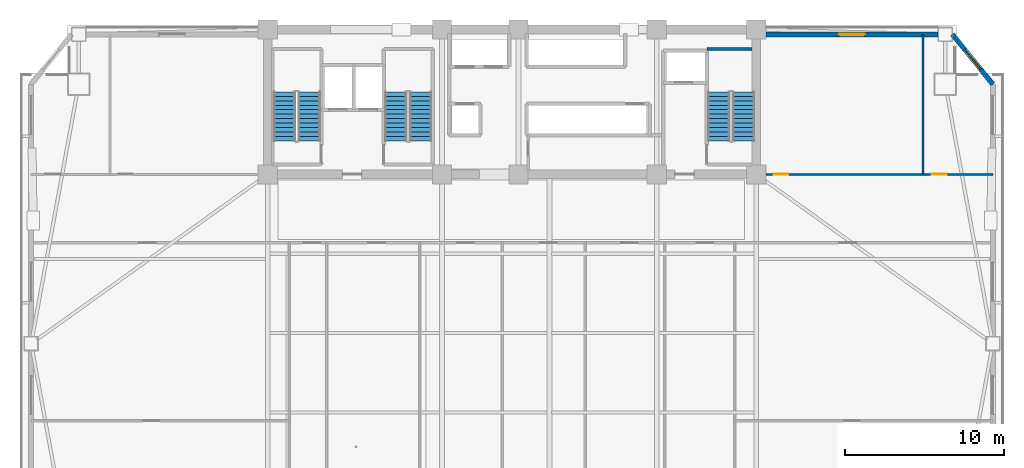
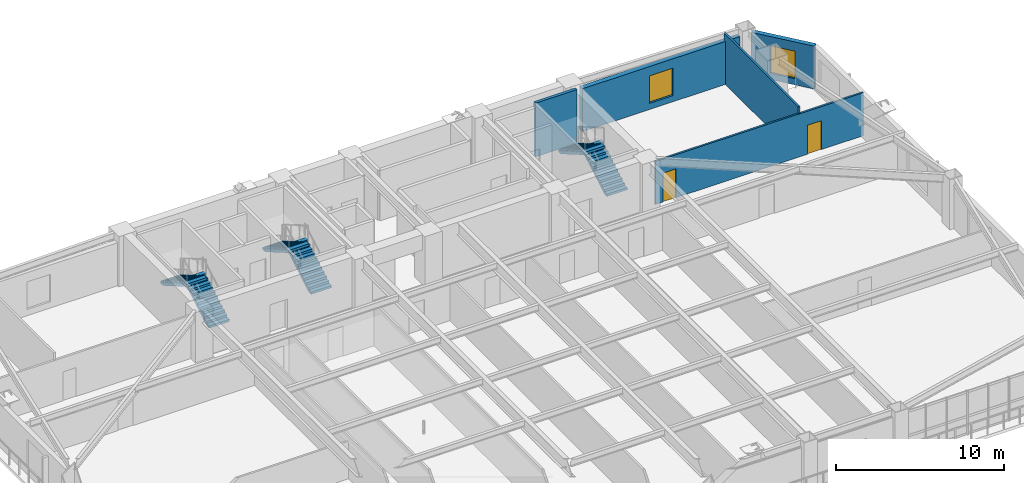
# One storey, part 10 of 15: 6 stair flights, 5 walls, 2 doors, 2 windows, 4 openings, 3 elements without a shape of their own.
"""IFC4 building model written with IfcOpenShell, lengths in metres."""

from ifc_helpers import new_model, si_unit, direction, frame, frame_2d, origin, place, context, subcontext, project, spatial, polyline, rectangle, outline, extrude, source, transform, mapped, material, layer, layer_set, type_object, element, fill, aggregate, save


model = new_model("IFC4")

# Units and contexts
model_context = context("Model", 3, precision=1e-05, world=origin(), true_north=direction((0.0, 1.0)))
body_context = subcontext(model_context, "Body", "Model", "MODEL_VIEW")
ifc_project = project(units=[si_unit("LENGTHUNIT", "METRE"), si_unit("AREAUNIT", "SQUARE_METRE"), si_unit("VOLUMEUNIT", "CUBIC_METRE"), si_unit("PLANEANGLEUNIT", "RADIAN"), si_unit("MASSUNIT", "GRAM", prefix="KILO")], contexts=[model_context])

# Site, building, storey
site_placement = place(None, origin())
site = spatial("IfcSite", under=ifc_project, at=site_placement, CompositionType="ELEMENT")
building_placement = place(site_placement, origin())
building = spatial("IfcBuilding", under=site, at=building_placement, Name="Giltprow Tower", CompositionType="ELEMENT")
storey_placement = place(building_placement, frame((0.0, 0.0, 127.0)))
storey = spatial("IfcBuildingStorey", under=building, at=storey_placement, Name="L31", CompositionType="ELEMENT", Elevation=127.0)

# Wall, opening, window
ifc_material_1 = material(Name="Precast concrete C40", Category="concrete")
ifc_layer_1 = layer(ifc_material_1, 0.300048828125, Name="Precast concrete C40")
ifc_layer_set_1 = layer_set([ifc_layer_1], Name="Precast concrete C40")
wall_type_1 = type_object("IfcWallType", Name="EW-NOTCH-CHAMFER-300", PredefinedType="SOLIDWALL", material=ifc_layer_set_1)
wall_1_placement = place(storey_placement, frame((65.4208984375, 43.10888671875, 0.0), z_axis=(0.0, 0.0, 1.0), x_axis=(-0.62893048879, 0.7774615362, 0.0)))
wall_1 = element("IfcWall", 1, at=wall_1_placement, inside=storey, type_object=wall_type_1, Name="L31 Corner Notch Wall NE", PredefinedType="SOLIDWALL", context=body_context, shape_type="SweptSolid", body=[
    extrude(rectangle(XDim=4.040283203125, YDim=0.300048828125, at=frame_2d((2.02001953125, 0.0))), origin(), (0.0, 0.0, 1.0), 3.1201171875),
])
opening_1_placement = place(wall_1_placement, frame((1.219970703125, 0.0, 0.449951171875)))
opening_1 = element("IfcOpeningElement", 2, at=opening_1_placement, cuts=wall_1, Name="Opening WN17", PredefinedType="OPENING", context=body_context, shape_type="SweptSolid", body=[
    extrude(rectangle(XDim=1.60009765625, YDim=2.0, at=frame_2d((0.800048828125, 1.0))), frame((0.0, 0.159912109375, 0.0), z_axis=(0.0, -1.0, 0.0), x_axis=(1.0, 0.0, 0.0)), (0.0, 0.0, 1.0), 0.320068359375),
])
ifc_material_2 = material(Name="Insulated glass", Category="glass")
window_type = type_object("IfcWindowType", Name="WN-COR-1600x2000", PartitioningType="SINGLE_PANEL", PredefinedType="WINDOW", material=ifc_material_2)
shared_shape_1 = source(origin(), body_context, "Body", "SweptSolid", [
    extrude(rectangle(XDim=1.60009765625, YDim=2.0, at=frame_2d((0.800048828125, 1.0))), frame((0.0, 0.030029296875, 0.0), z_axis=(0.0, -1.0, 0.0), x_axis=(1.0, 0.0, 0.0)), (0.0, 0.0, 1.0), 0.06005859375),
])
window_1_placement = place(opening_1_placement, origin())
window_1 = element("IfcWindow", 3, at=window_1_placement, inside=storey, type_object=window_type, Name="L31 Corner Notch Window NE", OverallHeight=2.0, OverallWidth=1.60009765625, PartitioningType="SINGLE_PANEL", PredefinedType="WINDOW", context=body_context, shape_type="MappedRepresentation", body=[
    mapped(shared_shape_1, transform((0.0, 0.0, 0.0), x_axis=(1.0, 0.0, 0.0), y_axis=(0.0, 1.0, 0.0), z_axis=(0.0, 0.0, 1.0), scale=1.0)),
])
fill(opening_1, window_1)

ifc_layer_2 = layer(ifc_material_1, 0.320068359375, Name="Precast concrete C40")
ifc_layer_set_2 = layer_set([ifc_layer_2], Name="Precast concrete C40")
wall_type_2 = type_object("IfcWallType", Name="EW-TOW-STONE-320", PredefinedType="SOLIDWALL", material=ifc_layer_set_2)
wall_2_placement = place(storey_placement, frame((51.14990234375, 46.25, 0.0), z_axis=(0.0, 0.0, 1.0), x_axis=(1.0, 0.0, 0.0)))
wall_2 = element("IfcWall", 4, at=wall_2_placement, inside=storey, type_object=wall_type_2, Name="L31 North-East Wing Wall", PredefinedType="SOLIDWALL", context=body_context, shape_type="SweptSolid", body=[
    extrude(rectangle(XDim=10.830078125, YDim=0.320068359375, at=frame_2d((5.4150390625, 0.0))), origin(), (0.0, 0.0, 1.0), 3.1201171875),
])
opening_2_placement = place(wall_2_placement, frame((4.614990234375, 0.0, 0.449951171875)))
opening_2 = element("IfcOpeningElement", 5, at=opening_2_placement, cuts=wall_2, Name="Opening WN17", PredefinedType="OPENING", context=body_context, shape_type="SweptSolid", body=[
    extrude(rectangle(XDim=1.60009765625, YDim=2.0, at=frame_2d((0.800048828125, 1.0))), frame((0.0, 0.169921875, 0.0), z_axis=(0.0, -1.0, 0.0), x_axis=(1.0, 0.0, 0.0)), (0.0, 0.0, 1.0), 0.340087890625),
])
window_2_placement = place(opening_2_placement, origin())
window_2 = element("IfcWindow", 6, at=window_2_placement, inside=storey, type_object=window_type, Name="L31 North-East Window", OverallHeight=2.0, OverallWidth=1.60009765625, PartitioningType="SINGLE_PANEL", PredefinedType="WINDOW", context=body_context, shape_type="MappedRepresentation", body=[
    mapped(shared_shape_1, transform((0.0, 0.0, 0.0), x_axis=(1.0, 0.0, 0.0), y_axis=(0.0, 1.0, 0.0), z_axis=(0.0, 0.0, 1.0), scale=1.0)),
])
fill(opening_2, window_2)

# Wall
ifc_material_3 = material(Name="Concrete C40", Category="concrete")
ifc_layer_3 = layer(ifc_material_3, 0.199951171875, Name="Concrete C40")
ifc_layer_set_3 = layer_set([ifc_layer_3], Name="Concrete C40")
wall_type_3 = type_object("IfcWallType", Name="IW-STAIR-200", PredefinedType="SOLIDWALL", material=ifc_layer_set_3)
wall_3_placement = place(storey_placement, frame((47.43994140625, 45.320068359375, 0.0), z_axis=(0.0, 0.0, 1.0), x_axis=(1.0, 0.0, 0.0)))
element("IfcWall", 7, at=wall_3_placement, inside=storey, type_object=wall_type_3, Name="L31 Stair ST-3 North Bearing Wall", PredefinedType="SOLIDWALL", context=body_context, shape_type="SweptSolid", body=[
    extrude(rectangle(XDim=2.85498046875, YDim=0.199951171875, at=frame_2d((1.427490234375, 0.0))), origin(), (0.0, 0.0, 1.0), 3.89990234375),
])

# Wall, openings, doors
ifc_material_4 = material(Name="Concrete C30", Category="concrete")
ifc_layer_4 = layer(ifc_material_4, 0.1298828125, Name="Concrete C30")
ifc_layer_set_4 = layer_set([ifc_layer_4], Name="Concrete C30")
wall_type_4 = type_object("IfcWallType", Name="IW-WET-130", PredefinedType="PARTITIONING", material=ifc_layer_set_4)
wall_4_placement = place(storey_placement, frame((51.14990234375, 37.449951171875, 0.0), z_axis=(0.0, 0.0, 1.0), x_axis=(1.0, 0.0, 0.0)))
wall_4 = element("IfcWall", 8, at=wall_4_placement, inside=storey, type_object=wall_type_4, Name="L31 NE Wing South Wall", PredefinedType="PARTITIONING", context=body_context, shape_type="SweptSolid", body=[
    extrude(rectangle(XDim=14.27099609375, YDim=0.1298828125, at=frame_2d((7.135498046875, 0.0))), origin(), (0.0, 0.0, 1.0), 3.125),
])
opening_3_placement = place(wall_4_placement, frame((0.5, 0.0, 0.0)))
opening_3 = element("IfcOpeningElement", 9, at=opening_3_placement, cuts=wall_4, Name="Opening ID15", PredefinedType="OPENING", context=body_context, shape_type="SweptSolid", body=[
    extrude(rectangle(XDim=0.89990234375, YDim=2.10009765625, at=frame_2d((0.449951171875, 1.050048828125))), frame((0.0, 0.074951171875, 0.0), z_axis=(0.0, -1.0, 0.0), x_axis=(1.0, 0.0, 0.0)), (0.0, 0.0, 1.0), 0.14990234375),
])
opening_4_placement = place(wall_4_placement, frame((10.429931640625, 0.0, 0.0)))
opening_4 = element("IfcOpeningElement", 10, at=opening_4_placement, cuts=wall_4, Name="Opening ID11", PredefinedType="OPENING", context=body_context, shape_type="SweptSolid", body=[
    extrude(rectangle(XDim=0.949951171875, YDim=2.10009765625, at=frame_2d((0.47509765625, 1.050048828125))), frame((0.0, 0.074951171875, 0.0), z_axis=(0.0, -1.0, 0.0), x_axis=(1.0, 0.0, 0.0)), (0.0, 0.0, 1.0), 0.14990234375),
])
ifc_material_5 = material(Name="Engineered timber", Category="wood")
door_type_1 = type_object("IfcDoorType", Name="DR-WC-900", OperationType="SINGLE_SWING_LEFT", PredefinedType="DOOR", material=ifc_material_5)
shared_shape_2 = source(origin(), body_context, "Body", "SweptSolid", [
    extrude(rectangle(XDim=0.89990234375, YDim=2.10009765625, at=frame_2d((0.449951171875, 1.050048828125))), frame((0.0, 0.02490234375, 0.0), z_axis=(0.0, -1.0, 0.0), x_axis=(1.0, 0.0, 0.0)), (0.0, 0.0, 1.0), 0.050048828125),
])
door_1_placement = place(opening_3_placement, origin())
door_1 = element("IfcDoor", 11, at=door_1_placement, inside=storey, type_object=door_type_1, Name="L31 East Wing Washroom Door", OperationType="SINGLE_SWING_RIGHT", OverallHeight=2.10009765625, OverallWidth=0.89990234375, PredefinedType="DOOR", context=body_context, shape_type="MappedRepresentation", body=[
    mapped(shared_shape_2, transform((0.0, 0.0, 0.0), x_axis=(1.0, 0.0, 0.0), y_axis=(0.0, 1.0, 0.0), z_axis=(0.0, 0.0, 1.0), scale=1.0)),
])
fill(opening_3, door_1)
door_type_2 = type_object("IfcDoorType", Name="DR-ROOM-950", OperationType="SINGLE_SWING_RIGHT", PredefinedType="DOOR", material=ifc_material_5)
shared_shape_3 = source(origin(), body_context, "Body", "SweptSolid", [
    extrude(rectangle(XDim=0.949951171875, YDim=2.10009765625, at=frame_2d((0.47509765625, 1.050048828125))), frame((0.0, 0.02490234375, 0.0), z_axis=(0.0, -1.0, 0.0), x_axis=(1.0, 0.0, 0.0)), (0.0, 0.0, 1.0), 0.050048828125),
])
door_2_placement = place(opening_4_placement, origin())
door_2 = element("IfcDoor", 12, at=door_2_placement, inside=storey, type_object=door_type_2, Name="L31 East Tenant Archive Store Door", OperationType="SINGLE_SWING_LEFT", OverallHeight=2.10009765625, OverallWidth=0.949951171875, PredefinedType="DOOR", context=body_context, shape_type="MappedRepresentation", body=[
    mapped(shared_shape_3, transform((0.0, 0.0, 0.0), x_axis=(1.0, 0.0, 0.0), y_axis=(0.0, 1.0, 0.0), z_axis=(0.0, 0.0, 1.0), scale=1.0)),
])
fill(opening_4, door_2)

# Wall
wall_5_placement = place(storey_placement, frame((61.030029296875, 37.449951171875, 0.0), z_axis=(0.0, 0.0, 1.0), x_axis=(0.0, 1.0, 0.0)))
element("IfcWall", 13, at=wall_5_placement, inside=storey, type_object=wall_type_4, Name="L31 NE Wing Divider", PredefinedType="PARTITIONING", context=body_context, shape_type="SweptSolid", body=[
    extrude(rectangle(XDim=8.800048828125, YDim=0.1298828125, at=frame_2d((4.39990234375, 0.0))), origin(), (0.0, 0.0, 1.0), 3.639892578125),
])

# Stair, stair flights
stair_type_1 = type_object("IfcStairType", Name="STR-ST-1", PredefinedType="HALF_TURN_STAIR", material=ifc_material_3)
stair_1_placement = place(storey_placement, origin())
stair_1 = element("IfcStair", 14, at=stair_1_placement, inside=storey, type_object=stair_type_1, Name="L31 Core Exit Stair ST-1", PredefinedType="HALF_TURN_STAIR")
stair_flight_type_1 = type_object("IfcStairFlightType", Name="SFL-ST-1", PredefinedType="STRAIGHT", material=ifc_material_3)
stair_flight_1_placement = place(storey_placement, frame((22.4599609375, 39.550048828125, 0.0), z_axis=(0.0, 0.0, 1.0), x_axis=(0.0, 1.0, 0.0)))
stair_flight_1 = element("IfcStairFlight", 15, at=stair_flight_1_placement, type_object=stair_flight_type_1, Name="ST-1 flight 1", NumberOfRisers=12, NumberOfTreads=11, PredefinedType="STRAIGHT", RiserHeight=0.1625, TreadLength=0.28, context=body_context, shape_type="SweptSolid", body=[
    extrude(outline(polyline([(0.0, 0.0), (0.0, 0.16259765625), (0.280029296875, 0.16259765625), (0.280029296875, 0.324951171875), (0.56005859375, 0.324951171875), (0.56005859375, 0.487548828125), (0.840087890625, 0.487548828125), (0.840087890625, 0.64990234375), (1.1201171875, 0.64990234375), (1.1201171875, 0.8125), (1.39990234375, 0.8125), (1.39990234375, 0.97509765625), (1.679931640625, 0.97509765625), (1.679931640625, 1.137451171875), (1.9599609375, 1.137451171875), (1.9599609375, 1.300048828125), (2.239990234375, 1.300048828125), (2.239990234375, 1.46240234375), (2.52001953125, 1.46240234375), (2.52001953125, 1.625), (2.800048828125, 1.625), (2.800048828125, 1.78759765625), (3.080078125, 1.78759765625), (3.080078125, 1.949951171875), (3.080078125, 1.6142578125), (0.298583984375, 0.0), (0.0, 0.0)])), frame((0.0, 0.699951171875, 0.0), z_axis=(0.0, -1.0, 0.0), x_axis=(1.0, 0.0, 0.0)), (0.0, 0.0, 1.0), 1.39990234375),
])
stair_flight_2_placement = place(storey_placement, frame((20.89990234375, 42.6298828125, 1.949951171875), z_axis=(0.0, 0.0, 1.0), x_axis=(0.0, -1.0, 0.0)))
stair_flight_2 = element("IfcStairFlight", 16, at=stair_flight_2_placement, type_object=stair_flight_type_1, Name="ST-1 flight 2", NumberOfRisers=12, NumberOfTreads=11, PredefinedType="STRAIGHT", RiserHeight=0.1625, TreadLength=0.28, context=body_context, shape_type="SweptSolid", body=[
    extrude(outline(polyline([(0.0, 0.0), (0.0, 0.16259765625), (0.280029296875, 0.16259765625), (0.280029296875, 0.324951171875), (0.56005859375, 0.324951171875), (0.56005859375, 0.487548828125), (0.840087890625, 0.487548828125), (0.840087890625, 0.64990234375), (1.1201171875, 0.64990234375), (1.1201171875, 0.8125), (1.39990234375, 0.8125), (1.39990234375, 0.97509765625), (1.679931640625, 0.97509765625), (1.679931640625, 1.137451171875), (1.9599609375, 1.137451171875), (1.9599609375, 1.300048828125), (2.239990234375, 1.300048828125), (2.239990234375, 1.46240234375), (2.52001953125, 1.46240234375), (2.52001953125, 1.625), (2.800048828125, 1.625), (2.800048828125, 1.78759765625), (3.080078125, 1.78759765625), (3.080078125, 1.949951171875), (3.080078125, 1.6142578125), (0.298583984375, 0.0), (0.0, 0.0)])), frame((0.0, 0.699951171875, 0.0), z_axis=(0.0, -1.0, 0.0), x_axis=(1.0, 0.0, 0.0)), (0.0, 0.0, 1.0), 1.39990234375),
])
aggregate(stair_1, [stair_flight_1, stair_flight_2])

stair_type_2 = type_object("IfcStairType", Name="STR-ST-2", PredefinedType="HALF_TURN_STAIR", material=ifc_material_3)
stair_2_placement = place(storey_placement, origin())
stair_2 = element("IfcStair", 17, at=stair_2_placement, inside=storey, type_object=stair_type_2, Name="L31 Core Exit Stair ST-2", PredefinedType="HALF_TURN_STAIR")
stair_flight_type_2 = type_object("IfcStairFlightType", Name="SFL-ST-2", PredefinedType="STRAIGHT", material=ifc_material_3)
stair_flight_3_placement = place(storey_placement, frame((29.4599609375, 39.550048828125, 0.0), z_axis=(0.0, 0.0, 1.0), x_axis=(0.0, 1.0, 0.0)))
stair_flight_3 = element("IfcStairFlight", 18, at=stair_flight_3_placement, type_object=stair_flight_type_2, Name="ST-2 flight 1", NumberOfRisers=12, NumberOfTreads=11, PredefinedType="STRAIGHT", RiserHeight=0.1625, TreadLength=0.28, context=body_context, shape_type="SweptSolid", body=[
    extrude(outline(polyline([(0.0, 0.0), (0.0, 0.16259765625), (0.280029296875, 0.16259765625), (0.280029296875, 0.324951171875), (0.56005859375, 0.324951171875), (0.56005859375, 0.487548828125), (0.840087890625, 0.487548828125), (0.840087890625, 0.64990234375), (1.1201171875, 0.64990234375), (1.1201171875, 0.8125), (1.39990234375, 0.8125), (1.39990234375, 0.97509765625), (1.679931640625, 0.97509765625), (1.679931640625, 1.137451171875), (1.9599609375, 1.137451171875), (1.9599609375, 1.300048828125), (2.239990234375, 1.300048828125), (2.239990234375, 1.46240234375), (2.52001953125, 1.46240234375), (2.52001953125, 1.625), (2.800048828125, 1.625), (2.800048828125, 1.78759765625), (3.080078125, 1.78759765625), (3.080078125, 1.949951171875), (3.080078125, 1.6142578125), (0.298583984375, 0.0), (0.0, 0.0)])), frame((0.0, 0.699951171875, 0.0), z_axis=(0.0, -1.0, 0.0), x_axis=(1.0, 0.0, 0.0)), (0.0, 0.0, 1.0), 1.39990234375),
])
stair_flight_4_placement = place(storey_placement, frame((27.89990234375, 42.6298828125, 1.949951171875), z_axis=(0.0, 0.0, 1.0), x_axis=(0.0, -1.0, 0.0)))
stair_flight_4 = element("IfcStairFlight", 19, at=stair_flight_4_placement, type_object=stair_flight_type_2, Name="ST-2 flight 2", NumberOfRisers=12, NumberOfTreads=11, PredefinedType="STRAIGHT", RiserHeight=0.1625, TreadLength=0.28, context=body_context, shape_type="SweptSolid", body=[
    extrude(outline(polyline([(0.0, 0.0), (0.0, 0.16259765625), (0.280029296875, 0.16259765625), (0.280029296875, 0.324951171875), (0.56005859375, 0.324951171875), (0.56005859375, 0.487548828125), (0.840087890625, 0.487548828125), (0.840087890625, 0.64990234375), (1.1201171875, 0.64990234375), (1.1201171875, 0.8125), (1.39990234375, 0.8125), (1.39990234375, 0.97509765625), (1.679931640625, 0.97509765625), (1.679931640625, 1.137451171875), (1.9599609375, 1.137451171875), (1.9599609375, 1.300048828125), (2.239990234375, 1.300048828125), (2.239990234375, 1.46240234375), (2.52001953125, 1.46240234375), (2.52001953125, 1.625), (2.800048828125, 1.625), (2.800048828125, 1.78759765625), (3.080078125, 1.78759765625), (3.080078125, 1.949951171875), (3.080078125, 1.6142578125), (0.298583984375, 0.0), (0.0, 0.0)])), frame((0.0, 0.699951171875, 0.0), z_axis=(0.0, -1.0, 0.0), x_axis=(1.0, 0.0, 0.0)), (0.0, 0.0, 1.0), 1.39990234375),
])
aggregate(stair_2, [stair_flight_3, stair_flight_4])

stair_type_3 = type_object("IfcStairType", Name="STR-ST-3", PredefinedType="HALF_TURN_STAIR", material=ifc_material_3)
stair_3_placement = place(storey_placement, origin())
stair_3 = element("IfcStair", 20, at=stair_3_placement, inside=storey, type_object=stair_type_3, Name="L31 Core Exit Stair ST-3", PredefinedType="HALF_TURN_STAIR")
stair_flight_type_3 = type_object("IfcStairFlightType", Name="SFL-ST-3", PredefinedType="STRAIGHT", material=ifc_material_3)
stair_flight_5_placement = place(storey_placement, frame((49.760009765625, 39.550048828125, 0.0), z_axis=(0.0, 0.0, 1.0), x_axis=(0.0, 1.0, 0.0)))
stair_flight_5 = element("IfcStairFlight", 21, at=stair_flight_5_placement, type_object=stair_flight_type_3, Name="ST-3 flight 1", NumberOfRisers=12, NumberOfTreads=11, PredefinedType="STRAIGHT", RiserHeight=0.1625, TreadLength=0.28, context=body_context, shape_type="SweptSolid", body=[
    extrude(outline(polyline([(0.0, 0.0), (0.0, 0.16259765625), (0.280029296875, 0.16259765625), (0.280029296875, 0.324951171875), (0.56005859375, 0.324951171875), (0.56005859375, 0.487548828125), (0.840087890625, 0.487548828125), (0.840087890625, 0.64990234375), (1.1201171875, 0.64990234375), (1.1201171875, 0.8125), (1.39990234375, 0.8125), (1.39990234375, 0.97509765625), (1.679931640625, 0.97509765625), (1.679931640625, 1.137451171875), (1.9599609375, 1.137451171875), (1.9599609375, 1.300048828125), (2.239990234375, 1.300048828125), (2.239990234375, 1.46240234375), (2.52001953125, 1.46240234375), (2.52001953125, 1.625), (2.800048828125, 1.625), (2.800048828125, 1.78759765625), (3.080078125, 1.78759765625), (3.080078125, 1.949951171875), (3.080078125, 1.6142578125), (0.298583984375, 0.0), (0.0, 0.0)])), frame((0.0, 0.699951171875, 0.0), z_axis=(0.0, -1.0, 0.0), x_axis=(1.0, 0.0, 0.0)), (0.0, 0.0, 1.0), 1.39990234375),
])
stair_flight_6_placement = place(storey_placement, frame((48.199951171875, 42.6298828125, 1.949951171875), z_axis=(0.0, 0.0, 1.0), x_axis=(0.0, -1.0, 0.0)))
stair_flight_6 = element("IfcStairFlight", 22, at=stair_flight_6_placement, type_object=stair_flight_type_3, Name="ST-3 flight 2", NumberOfRisers=12, NumberOfTreads=11, PredefinedType="STRAIGHT", RiserHeight=0.1625, TreadLength=0.28, context=body_context, shape_type="SweptSolid", body=[
    extrude(outline(polyline([(0.0, 0.0), (0.0, 0.16259765625), (0.280029296875, 0.16259765625), (0.280029296875, 0.324951171875), (0.56005859375, 0.324951171875), (0.56005859375, 0.487548828125), (0.840087890625, 0.487548828125), (0.840087890625, 0.64990234375), (1.1201171875, 0.64990234375), (1.1201171875, 0.8125), (1.39990234375, 0.8125), (1.39990234375, 0.97509765625), (1.679931640625, 0.97509765625), (1.679931640625, 1.137451171875), (1.9599609375, 1.137451171875), (1.9599609375, 1.300048828125), (2.239990234375, 1.300048828125), (2.239990234375, 1.46240234375), (2.52001953125, 1.46240234375), (2.52001953125, 1.625), (2.800048828125, 1.625), (2.800048828125, 1.78759765625), (3.080078125, 1.78759765625), (3.080078125, 1.949951171875), (3.080078125, 1.6142578125), (0.298583984375, 0.0), (0.0, 0.0)])), frame((0.0, 0.699951171875, 0.0), z_axis=(0.0, -1.0, 0.0), x_axis=(1.0, 0.0, 0.0)), (0.0, 0.0, 1.0), 1.39990234375),
])
aggregate(stair_3, [stair_flight_5, stair_flight_6])

save(model, "model.ifc")
